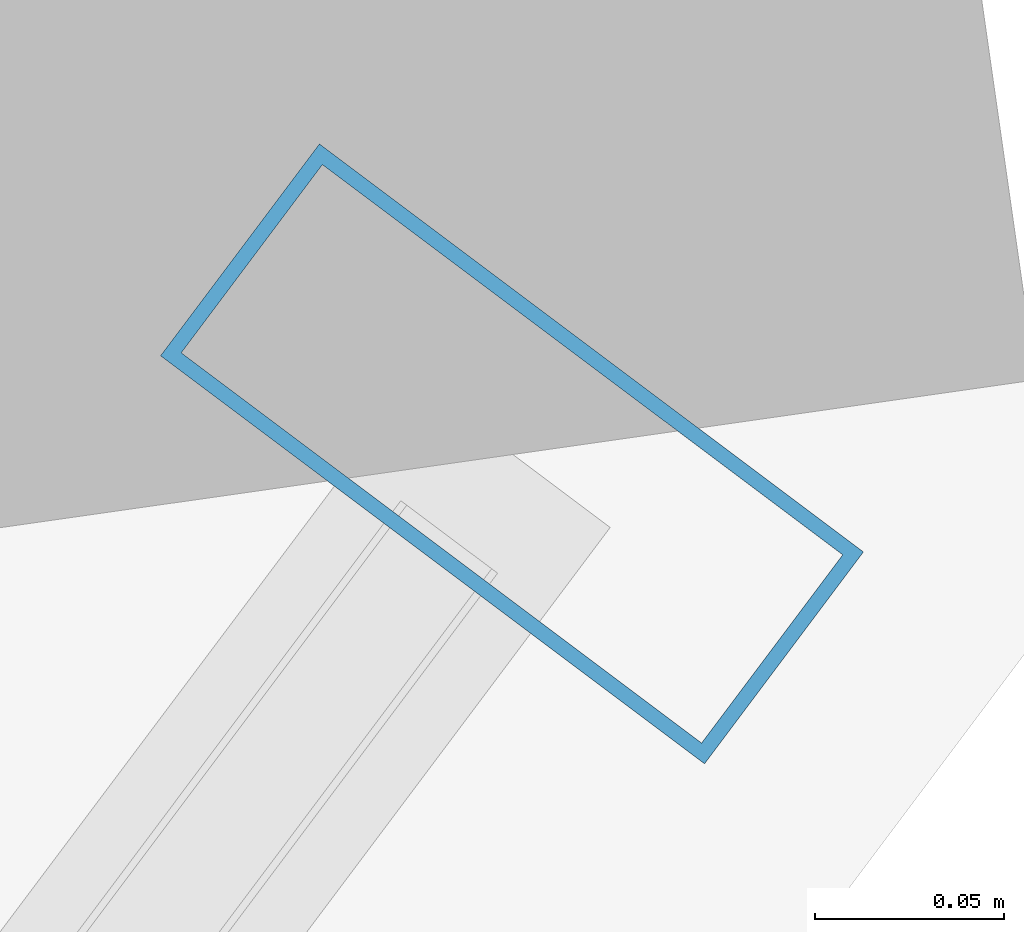
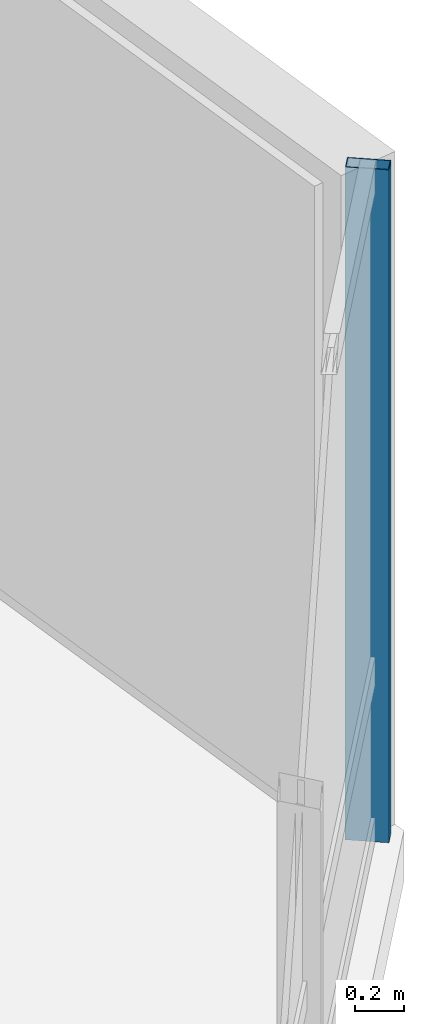
# One storey, part 12 of 29: 1 member, 1 element without a shape of its own.
"""IFC4 building model written with IfcOpenShell, lengths in metres."""

from ifc_helpers import new_model, si_unit, direction, frame, origin, origin_2d, place, context, subcontext, project, spatial, hollow_rectangle, extrude, material, layer, layer_set, material_profile, profile_set, type_object, element, aggregate, save


model = new_model("IFC4")

# Units and contexts
model_context = context("Model", 3, precision=1e-05, world=origin(), true_north=direction((0.0, 1.0)))
body_context = subcontext(model_context, "Body", "Model", "MODEL_VIEW")
ifc_project = project(units=[si_unit("LENGTHUNIT", "METRE"), si_unit("AREAUNIT", "SQUARE_METRE"), si_unit("VOLUMEUNIT", "CUBIC_METRE"), si_unit("PLANEANGLEUNIT", "RADIAN"), si_unit("MASSUNIT", "GRAM", prefix="KILO")], contexts=[model_context])

# Site, building, storey
site_placement = place(None, origin())
site = spatial("IfcSite", under=ifc_project, at=site_placement, CompositionType="ELEMENT")
building_placement = place(site_placement, origin())
building = spatial("IfcBuilding", under=site, at=building_placement, Name="Hatsunagi Terrace Concourse", CompositionType="ELEMENT")
storey_placement = place(building_placement, frame((0.0, 0.0, 119.25)))
storey = spatial("IfcBuildingStorey", under=building, at=storey_placement, Name="L31", CompositionType="ELEMENT", Elevation=119.25)

# Curtain wall, member
ifc_material_1 = material(Name="Anodised Aluminium Alloy 6063-T5", Category="aluminium")
ifc_layer = layer(ifc_material_1, 0.199951171875)
ifc_layer_set = layer_set([ifc_layer], Name="OfficeZone1_CW03")
curtain_wall_type = type_object("IfcCurtainWallType", Name="OfficeZone1_CW03", PredefinedType="NOTDEFINED", material=ifc_layer_set)
curtain_wall_placement = place(storey_placement, origin())
curtain_wall = element("IfcCurtainWall", 1, at=curtain_wall_placement, inside=storey, type_object=curtain_wall_type, Name="Unitised Curtain Wall CW-03 CW-L31-03", PredefinedType="NOTDEFINED")
ifc_material_2 = material(Name="Anodised Aluminium Alloy 6063-T5", Category="aluminium")
ifc_material_profile = material_profile(ifc_material_2, hollow_rectangle(XDim=0.070068359375, YDim=0.179931640625, WallThickness=0.00390625, at=origin_2d()), Name="ALU-MUL-180x70x4")
ifc_profile_set = profile_set([ifc_material_profile], Name="Anodised Aluminium Alloy 6063-T5")
member_type = type_object("IfcMemberType", Name="CurtainWallMullion_180x70", PredefinedType="MULLION", material=ifc_profile_set)
member_placement = place(storey_placement, frame((69.093017578125, 19.657958984375, 0.0), z_axis=(0.0, 0.0, 1.0), x_axis=(-0.599969314634, -0.800023013105, 0.0)))
member = element("IfcMember", 2, at=member_placement, type_object=member_type, Name="Curtain Wall Mullion MUL-02", PredefinedType="MULLION", context=body_context, shape_type="SweptSolid", body=[
    extrude(hollow_rectangle(XDim=0.070068359375, YDim=0.179931640625, WallThickness=0.00390625, at=origin_2d()), origin(), (0.0, 0.0, 1.0), 3.35009765625),
])
aggregate(curtain_wall, [member])

save(model, "model.ifc")
